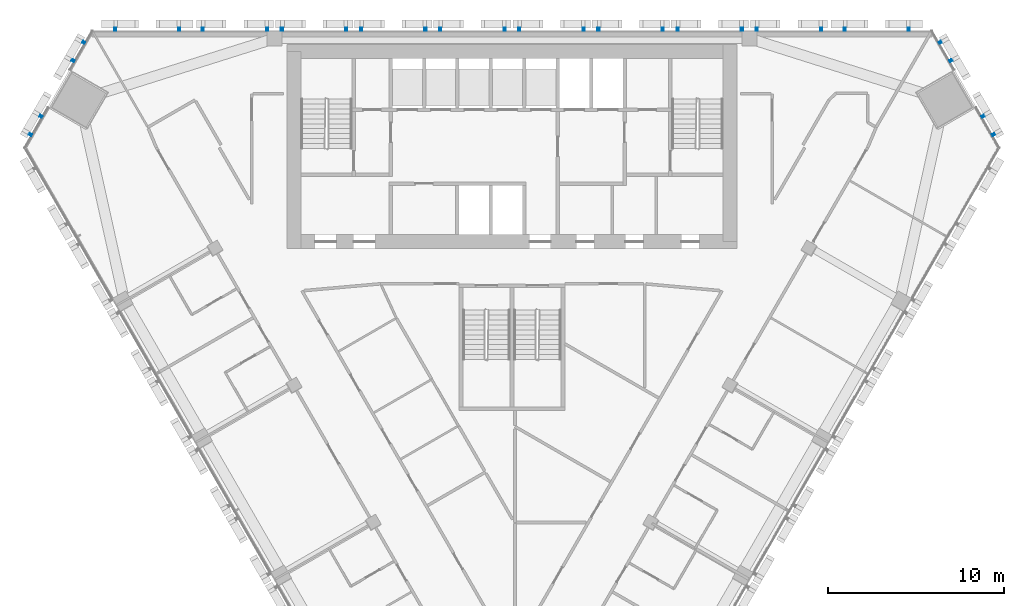
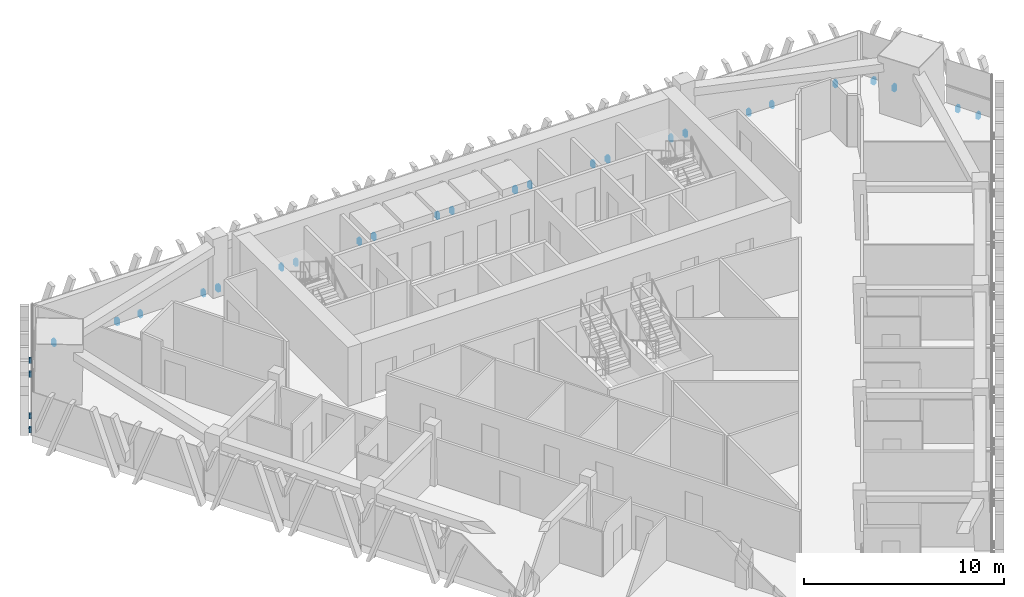
# One storey, part 13 of 16: 3 discrete accessories.
"""IFC4 building model written with IfcOpenShell, lengths in metres."""

from ifc_helpers import new_model, si_unit, direction, frame, origin, place, context, subcontext, project, spatial, polyline, outline, extrude, source, transform, mapped, material, type_object, element, save


model = new_model("IFC4")

# Units and contexts
model_context = context("Model", 3, precision=1e-05, world=origin(), true_north=direction((0.0, 1.0)))
body_context = subcontext(model_context, "Body", "Model", "MODEL_VIEW")
ifc_project = project(units=[si_unit("LENGTHUNIT", "METRE"), si_unit("AREAUNIT", "SQUARE_METRE"), si_unit("VOLUMEUNIT", "CUBIC_METRE"), si_unit("PLANEANGLEUNIT", "RADIAN"), si_unit("MASSUNIT", "GRAM", prefix="KILO")], contexts=[model_context])

# Site, building, storey
site_placement = place(None, origin())
site = spatial("IfcSite", under=ifc_project, at=site_placement, CompositionType="ELEMENT")
building_placement = place(site_placement, origin())
building = spatial("IfcBuilding", under=site, at=building_placement, Name="Altiplano Prism Tower", CompositionType="ELEMENT")
storey_placement = place(building_placement, frame((0.0, 0.0, 135.0)))
storey = spatial("IfcBuildingStorey", under=building, at=storey_placement, Name="L34", CompositionType="ELEMENT", Elevation=135.0)

# Discrete accessories
ifc_material = material(Name="Stainless steel", Category="steel")
discrete_accessory_type = type_object("IfcDiscreteAccessoryType", Name="Stone fin fixing prongs", PredefinedType="USERDEFINED", material=ifc_material)
shared_shape_1 = source(origin(), body_context, "Body", "SweptSolid", [
    extrude(outline(polyline([(-1.888427734375, 0.06005859375), (-1.768310546875, 0.06005859375), (-1.768310546875, 0.389892578125), (-1.888427734375, 0.389892578125), (-1.888427734375, 0.06005859375)])), frame((0.0, 0.0, 0.0), z_axis=(0.0, -1.0, 0.0), x_axis=(1.0, 0.0, 0.0)), (0.0, 0.0, 1.0), 0.14990234375),
    extrude(outline(polyline([(1.768310546875, 0.06005859375), (1.888427734375, 0.06005859375), (1.888427734375, 0.389892578125), (1.768310546875, 0.389892578125), (1.768310546875, 0.06005859375)])), frame((0.0, 0.0, 0.0), z_axis=(0.0, -1.0, 0.0), x_axis=(1.0, 0.0, 0.0)), (0.0, 0.0, 1.0), 0.14990234375),
])
shared_shape_2 = source(origin(), body_context, "Body", "SweptSolid", [
    extrude(outline(polyline([(-1.888427734375, 0.06005859375), (-1.768310546875, 0.06005859375), (-1.768310546875, 0.389892578125), (-1.888427734375, 0.389892578125), (-1.888427734375, 0.06005859375)])), frame((0.0, 0.0, 0.0), z_axis=(0.0, -1.0, 0.0), x_axis=(1.0, 0.0, 0.0)), (0.0, 0.0, 1.0), 0.14990234375),
    extrude(outline(polyline([(1.768310546875, 0.06005859375), (1.888427734375, 0.06005859375), (1.888427734375, 0.389892578125), (1.768310546875, 0.389892578125), (1.768310546875, 0.06005859375)])), frame((0.0, 0.0, 0.0), z_axis=(0.0, -1.0, 0.0), x_axis=(1.0, 0.0, 0.0)), (0.0, 0.0, 1.0), 0.14990234375),
])
discrete_accessory_1_placement = place(storey_placement, origin())
element("IfcDiscreteAccessory", 1, at=discrete_accessory_1_placement, inside=storey, type_object=discrete_accessory_type, Name="Fin fixings L34 north face", ObjectType="BRACKET", PredefinedType="USERDEFINED", context=body_context, shape_type="MappedRepresentation", body=[
    mapped(shared_shape_1, transform((105.741455078125, 105.0, -0.449951171875), x_axis=(-1.0, 0.0, 0.0), y_axis=(0.0, -1.0, 0.0), z_axis=(0.0, 0.0, 1.0))),
    mapped(shared_shape_2, transform((100.75, 105.0, -0.449951171875), x_axis=(-1.0, 0.0, 0.0), y_axis=(0.0, -1.0, 0.0), z_axis=(0.0, 0.0, 1.0))),
    mapped(shared_shape_2, transform((96.25, 105.0, -0.449951171875), x_axis=(-1.0, 0.0, 0.0), y_axis=(0.0, -1.0, 0.0), z_axis=(0.0, 0.0, 1.0))),
    mapped(shared_shape_2, transform((91.75, 105.0, -0.449951171875), x_axis=(-1.0, 0.0, 0.0), y_axis=(0.0, -1.0, 0.0), z_axis=(0.0, 0.0, 1.0))),
    mapped(shared_shape_2, transform((87.25, 105.0, -0.449951171875), x_axis=(-1.0, 0.0, 0.0), y_axis=(0.0, -1.0, 0.0), z_axis=(0.0, 0.0, 1.0))),
    mapped(shared_shape_2, transform((82.75, 105.0, -0.449951171875), x_axis=(-1.0, 0.0, 0.0), y_axis=(0.0, -1.0, 0.0), z_axis=(0.0, 0.0, 1.0))),
    mapped(shared_shape_2, transform((78.25, 105.0, -0.449951171875), x_axis=(-1.0, 0.0, 0.0), y_axis=(0.0, -1.0, 0.0), z_axis=(0.0, 0.0, 1.0))),
    mapped(shared_shape_2, transform((73.75, 105.0, -0.449951171875), x_axis=(-1.0, 0.0, 0.0), y_axis=(0.0, -1.0, 0.0), z_axis=(0.0, 0.0, 1.0))),
    mapped(shared_shape_2, transform((69.25, 105.0, -0.449951171875), x_axis=(-1.0, 0.0, 0.0), y_axis=(0.0, -1.0, 0.0), z_axis=(0.0, 0.0, 1.0))),
    mapped(shared_shape_1, transform((64.258544921875, 105.0, -0.449951171875), x_axis=(-1.0, 0.0, 0.0), y_axis=(0.0, -1.0, 0.0), z_axis=(0.0, 0.0, 1.0))),
])
shared_shape_3 = source(origin(), body_context, "Body", "SweptSolid", [
    extrude(outline(polyline([(-3.08837890625, 0.06005859375), (-2.968505859375, 0.06005859375), (-2.968505859375, 0.389892578125), (-3.08837890625, 0.389892578125), (-3.08837890625, 0.06005859375)])), frame((0.0, 0.0, 0.0), z_axis=(0.0, -1.0, 0.0), x_axis=(1.0, 0.0, 0.0)), (0.0, 0.0, 1.0), 0.14990234375),
    extrude(outline(polyline([(-1.888427734375, 0.06005859375), (-1.768310546875, 0.06005859375), (-1.768310546875, 0.389892578125), (-1.888427734375, 0.389892578125), (-1.888427734375, 0.06005859375)])), frame((0.0, 0.0, 0.0), z_axis=(0.0, -1.0, 0.0), x_axis=(1.0, 0.0, 0.0)), (0.0, 0.0, 1.0), 0.14990234375),
    extrude(outline(polyline([(1.768310546875, 0.06005859375), (1.888427734375, 0.06005859375), (1.888427734375, 0.389892578125), (1.768310546875, 0.389892578125), (1.768310546875, 0.06005859375)])), frame((0.0, 0.0, 0.0), z_axis=(0.0, -1.0, 0.0), x_axis=(1.0, 0.0, 0.0)), (0.0, 0.0, 1.0), 0.14990234375),
    extrude(outline(polyline([(2.968505859375, 0.06005859375), (3.08837890625, 0.06005859375), (3.08837890625, 0.389892578125), (2.968505859375, 0.389892578125), (2.968505859375, 0.06005859375)])), frame((0.0, 0.0, 0.0), z_axis=(0.0, -1.0, 0.0), x_axis=(1.0, 0.0, 0.0)), (0.0, 0.0, 1.0), 0.14990234375),
])
discrete_accessory_2_placement = place(storey_placement, origin())
element("IfcDiscreteAccessory", 2, at=discrete_accessory_2_placement, inside=storey, type_object=discrete_accessory_type, Name="Fin fixings L34 north-west chamfer", ObjectType="BRACKET", PredefinedType="USERDEFINED", context=body_context, shape_type="MappedRepresentation", body=[
    mapped(shared_shape_3, transform((59.194580078125, 101.669677734375, -0.449951171875), x_axis=(-0.500000003023, -0.866025402039, 0.0), y_axis=(0.866025402039, -0.500000003023, 0.0), z_axis=(0.0, 0.0, 1.0))),
])
discrete_accessory_3_placement = place(storey_placement, origin())
element("IfcDiscreteAccessory", 3, at=discrete_accessory_3_placement, inside=storey, type_object=discrete_accessory_type, Name="Fin fixings L34 north-east chamfer", ObjectType="BRACKET", PredefinedType="USERDEFINED", context=body_context, shape_type="MappedRepresentation", body=[
    mapped(shared_shape_3, transform((110.805419921875, 101.669677734375, -0.449951171875), x_axis=(-0.500000003023, 0.866025402039, 0.0), y_axis=(-0.866025402039, -0.500000003023, 0.0), z_axis=(0.0, 0.0, 1.0))),
])

save(model, "model.ifc")
